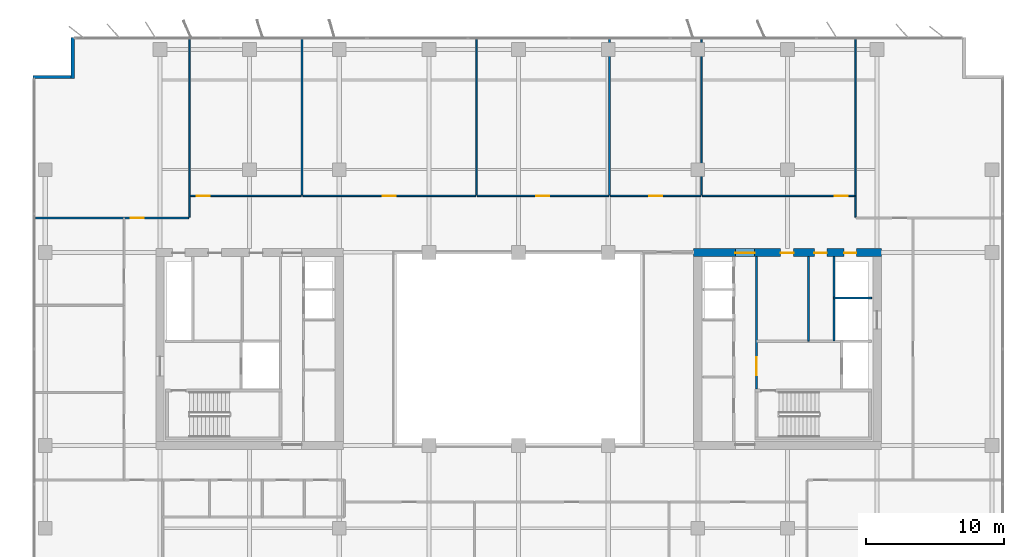
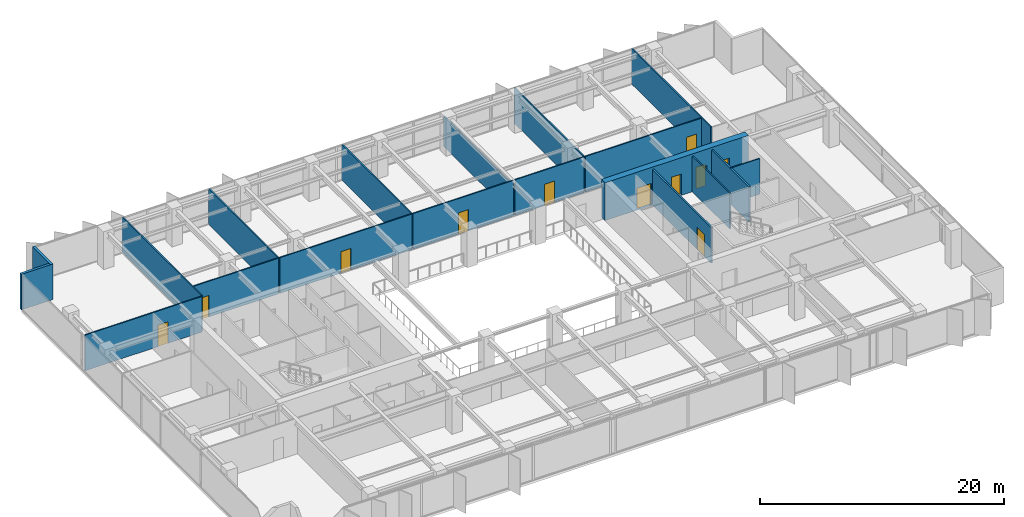
# One storey, part 17 of 22: 19 walls, 11 doors, 11 openings.
"""IFC4 building model written with IfcOpenShell, lengths in metres."""

from ifc_helpers import new_model, si_unit, direction, frame, frame_2d, origin, place, context, subcontext, project, spatial, rectangle, extrude, material, layer, layer_set, type_object, element, fill, save


model = new_model("IFC4")

# Units and contexts
model_context = context("Model", 3, precision=1e-05, world=origin(), true_north=direction((0.0, 1.0)))
body_context = subcontext(model_context, "Body", "Model", "MODEL_VIEW")
ifc_project = project(units=[si_unit("LENGTHUNIT", "METRE"), si_unit("AREAUNIT", "SQUARE_METRE"), si_unit("VOLUMEUNIT", "CUBIC_METRE"), si_unit("PLANEANGLEUNIT", "RADIAN"), si_unit("MASSUNIT", "GRAM", prefix="KILO")], contexts=[model_context])

# Site, building, storey
site_placement = place(None, origin())
site = spatial("IfcSite", under=ifc_project, at=site_placement, CompositionType="ELEMENT")
building_placement = place(site_placement, origin())
building = spatial("IfcBuilding", under=site, at=building_placement, Name="Putna Gate Headquarters", CompositionType="ELEMENT")
storey_placement = place(building_placement, frame((0.0, 0.0, 159.39990234375)))
storey = spatial("IfcBuildingStorey", under=building, at=storey_placement, Name="L39", CompositionType="ELEMENT", Elevation=159.39990234375)

# Wall, openings, doors
ifc_material_1 = material(Name="Concrete C50/60", Category="concrete")
ifc_layer_1 = layer(ifc_material_1, 0.60009765625)
ifc_layer_set_1 = layer_set([ifc_layer_1], Name="Concrete C50/60")
wall_type_1 = type_object("IfcWallType", Name="WALL-CORE-600", PredefinedType="SHEAR", material=ifc_layer_set_1)
wall_1_placement = place(storey_placement, frame((51.699951171875, 33.0, 0.0), z_axis=(0.0, 0.0, 1.0), x_axis=(1.0, 0.0, 0.0)))
wall_1 = element("IfcWall", 1, at=wall_1_placement, inside=storey, type_object=wall_type_1, Name="L39 EC Split Core Shear Wall N", PredefinedType="SHEAR", context=body_context, shape_type="SweptSolid", body=[
    extrude(rectangle(XDim=13.60009765625, YDim=0.60009765625, at=frame_2d((6.800048828125, 0.0))), origin(), (0.0, 0.0, 1.0), 3.800048828125),
])
opening_1_placement = place(wall_1_placement, frame((3.02001953125, 0.0, 0.0)))
opening_1 = element("IfcOpeningElement", 2, at=opening_1_placement, cuts=wall_1, Name="Opening FDD-140", PredefinedType="OPENING", context=body_context, shape_type="SweptSolid", body=[
    extrude(rectangle(XDim=1.39990234375, YDim=2.199951171875, at=frame_2d((0.699951171875, 1.10009765625))), frame((0.0, 0.31005859375, 0.0), z_axis=(0.0, -1.0, 0.0), x_axis=(1.0, 0.0, 0.0)), (0.0, 0.0, 1.0), 0.6201171875),
])
opening_2_placement = place(wall_1_placement, frame((10.89990234375, 0.0, 0.0)))
opening_2 = element("IfcOpeningElement", 3, at=opening_2_placement, cuts=wall_1, Name="Opening RD-90", PredefinedType="OPENING", context=body_context, shape_type="SweptSolid", body=[
    extrude(rectangle(XDim=0.89990234375, YDim=2.14990234375, at=frame_2d((0.449951171875, 1.074951171875))), frame((0.0, 0.31005859375, 0.0), z_axis=(0.0, -1.0, 0.0), x_axis=(1.0, 0.0, 0.0)), (0.0, 0.0, 1.0), 0.6201171875),
])
opening_3_placement = place(wall_1_placement, frame((6.300048828125, 0.0, 0.0)))
opening_3 = element("IfcOpeningElement", 4, at=opening_3_placement, cuts=wall_1, Name="Opening IDS-95", PredefinedType="OPENING", context=body_context, shape_type="SweptSolid", body=[
    extrude(rectangle(XDim=0.949951171875, YDim=2.14990234375, at=frame_2d((0.47509765625, 1.074951171875))), frame((0.0, 0.31005859375, 0.0), z_axis=(0.0, -1.0, 0.0), x_axis=(1.0, 0.0, 0.0)), (0.0, 0.0, 1.0), 0.6201171875),
])
opening_4_placement = place(wall_1_placement, frame((8.75, 0.0, 0.0)))
opening_4 = element("IfcOpeningElement", 5, at=opening_4_placement, cuts=wall_1, Name="Opening IDS-90", PredefinedType="OPENING", context=body_context, shape_type="SweptSolid", body=[
    extrude(rectangle(XDim=0.89990234375, YDim=2.14990234375, at=frame_2d((0.449951171875, 1.074951171875))), frame((0.0, 0.31005859375, 0.0), z_axis=(0.0, -1.0, 0.0), x_axis=(1.0, 0.0, 0.0)), (0.0, 0.0, 1.0), 0.6201171875),
])
ifc_material_2 = material(Name="Double steel fire door", Category="steel")
door_type_1 = type_object("IfcDoorType", Name="DOOR-FIRE-DBL-1400", OperationType="DOUBLE_DOOR_SINGLE_SWING", PredefinedType="DOOR", material=ifc_material_2)
door_1_placement = place(opening_1_placement, origin())
door_1 = element("IfcDoor", 6, at=door_1_placement, inside=storey, type_object=door_type_1, Name="L39 East Lift Lobby North Door", OperationType="DOUBLE_DOOR_SINGLE_SWING", OverallHeight=2.199951171875, OverallWidth=1.39990234375, PredefinedType="DOOR", context=body_context, shape_type="SweptSolid", body=[
    extrude(rectangle(XDim=1.39990234375, YDim=2.199951171875, at=frame_2d((0.699951171875, 1.10009765625))), frame((0.0, -0.02490234375, 0.0), z_axis=(0.0, -1.0, 0.0), x_axis=(1.0, 0.0, 0.0)), (0.0, 0.0, 1.0), 0.050048828125),
])
fill(opening_1, door_1)
ifc_material_3 = material(Name="Fire-rated utility door")
door_type_2 = type_object("IfcDoorType", Name="DOOR-INT-900", OperationType="NOTDEFINED", PredefinedType="DOOR", material=ifc_material_3)
door_2_placement = place(opening_4_placement, origin())
door_2 = element("IfcDoor", 7, at=door_2_placement, inside=storey, type_object=door_type_2, Name="L39 Electrical Plant Door", OperationType="SINGLE_SWING_LEFT", OverallHeight=2.14990234375, OverallWidth=0.89990234375, PredefinedType="DOOR", context=body_context, shape_type="SweptSolid", body=[
    extrude(rectangle(XDim=0.89990234375, YDim=2.14990234375, at=frame_2d((0.449951171875, 1.074951171875))), frame((0.0, -0.02490234375, 0.0), z_axis=(0.0, -1.0, 0.0), x_axis=(1.0, 0.0, 0.0)), (0.0, 0.0, 1.0), 0.050048828125),
])
fill(opening_4, door_2)
ifc_material_4 = material(Name="Fire-rated service timber door", Category="wood")
door_type_3 = type_object("IfcDoorType", Name="DOOR-INT-950", OperationType="NOTDEFINED", PredefinedType="DOOR", material=ifc_material_4)
door_3_placement = place(opening_3_placement, origin())
door_3 = element("IfcDoor", 8, at=door_3_placement, inside=storey, type_object=door_type_3, Name="L39 East Store Door", OperationType="SINGLE_SWING_RIGHT", OverallHeight=2.14990234375, OverallWidth=0.949951171875, PredefinedType="DOOR", context=body_context, shape_type="SweptSolid", body=[
    extrude(rectangle(XDim=0.949951171875, YDim=2.14990234375, at=frame_2d((0.47509765625, 1.074951171875))), frame((0.0, -0.02490234375, 0.0), z_axis=(0.0, -1.0, 0.0), x_axis=(1.0, 0.0, 0.0)), (0.0, 0.0, 1.0), 0.050048828125),
])
fill(opening_3, door_3)
ifc_material_5 = material(Name="Steel riser access fire door", Category="steel")
door_type_4 = type_object("IfcDoorType", Name="DOOR-RISER-900", OperationType="NOTDEFINED", PredefinedType="DOOR", material=ifc_material_5)
door_4_placement = place(opening_2_placement, origin())
door_4 = element("IfcDoor", 9, at=door_4_placement, inside=storey, type_object=door_type_4, Name="L39 East Riser Access Door", OperationType="SINGLE_SWING_LEFT", OverallHeight=2.14990234375, OverallWidth=0.89990234375, PredefinedType="DOOR", context=body_context, shape_type="SweptSolid", body=[
    extrude(rectangle(XDim=0.89990234375, YDim=2.14990234375, at=frame_2d((0.449951171875, 1.074951171875))), frame((0.0, -0.02490234375, 0.0), z_axis=(0.0, -1.0, 0.0), x_axis=(1.0, 0.0, 0.0)), (0.0, 0.0, 1.0), 0.050048828125),
])
fill(opening_2, door_4)

# Walls
ifc_material_6 = material(Name="Precast concrete C40/50", Category="concrete")
ifc_layer_2 = layer(ifc_material_6, 0.239990234375)
ifc_layer_set_2 = layer_set([ifc_layer_2], Name="Precast concrete C40/50")
wall_type_2 = type_object("IfcWallType", Name="WALL-EXT-TERR-240", PredefinedType="STANDARD", material=ifc_layer_set_2)
for number, where, z_axis, x_axis, name in (
    (10, (6.679931640625, 45.60009765625, 0.0), (0.0, 0.0, 1.0), (0.0, 1.0, 0.0), "L39 Corner Notch Return Wall NW-V"),
    (11, (3.800048828125, 45.719970703125, 0.0), (0.0, 0.0, 1.0), (1.0, 0.0, 0.0), "L39 Corner Notch Return Wall NW-H"),
):
    element("IfcWall", number, at=place(storey_placement, frame(where, z_axis=z_axis, x_axis=x_axis)), inside=storey, type_object=wall_type_2, Name=name, PredefinedType="STANDARD", context=body_context, shape_type="SweptSolid", body=[
        extrude(rectangle(XDim=3.0, YDim=0.239990234375, at=frame_2d((1.5, 0.0))), origin(), (0.0, 0.0, 1.0), 3.572021484375),
    ])
ifc_material_7 = material(Name="Acoustic gypsum board on metal stud")
ifc_layer_3 = layer(ifc_material_7, 0.1201171875)
ifc_layer_set_3 = layer_set([ifc_layer_3], Name="Acoustic gypsum board on metal stud")
wall_type_3 = type_object("IfcWallType", Name="WALL-PART-120", PredefinedType="PARTITIONING", material=ifc_layer_set_3)
wall_2_placement = place(storey_placement, frame((15.13037109375, 35.56005859375, 0.0), z_axis=(0.0, 0.0, 1.0), x_axis=(0.0, 1.0, 0.0)))
element("IfcWall", 12, at=wall_2_placement, inside=storey, type_object=wall_type_3, Name="L39 Interior Wall PART-L39-NB-DIV-01", PredefinedType="PARTITIONING", context=body_context, shape_type="SweptSolid", body=[
    extrude(rectangle(XDim=13.02001953125, YDim=0.1201171875, at=frame_2d((6.510009765625, 0.0))), origin(), (0.0, 0.0, 1.0), 3.572021484375),
])
for number, where, z_axis, x_axis, name in (
    (13, (23.297119140625, 37.159912109375, 0.0), (0.0, 0.0, 1.0), (0.0, 1.0, 0.0), "L39 Interior Wall PART-L39-NB-DIV-02"),
    (14, (35.939208984375, 37.159912109375, 0.0), (0.0, 0.0, 1.0), (0.0, 1.0, 0.0), "L39 Interior Wall PART-L39-NB-DIV-03"),
):
    element("IfcWall", number, at=place(storey_placement, frame(where, z_axis=z_axis, x_axis=x_axis)), inside=storey, type_object=wall_type_3, Name=name, PredefinedType="PARTITIONING", context=body_context, shape_type="SweptSolid", body=[
        extrude(rectangle(XDim=11.420166015625, YDim=0.1201171875, at=frame_2d((5.7099609375, 0.0))), origin(), (0.0, 0.0, 1.0), 3.572021484375),
    ])
wall_3_placement = place(storey_placement, frame((45.597900390625, 37.159912109375, 0.0), z_axis=(0.0, 0.0, 1.0), x_axis=(0.0, 1.0, 0.0)))
element("IfcWall", 15, at=wall_3_placement, inside=storey, type_object=wall_type_3, Name="L39 Interior Wall PART-L39-NB-DIV-04", PredefinedType="PARTITIONING", context=body_context, shape_type="SweptSolid", body=[
    extrude(rectangle(XDim=11.420166015625, YDim=0.1201171875, at=frame_2d((5.7099609375, 0.0))), origin(), (0.0, 0.0, 1.0), 3.022216796875),
])
wall_4_placement = place(storey_placement, frame((52.272705078125, 37.159912109375, 0.0), z_axis=(0.0, 0.0, 1.0), x_axis=(0.0, 1.0, 0.0)))
element("IfcWall", 16, at=wall_4_placement, inside=storey, type_object=wall_type_3, Name="L39 Interior Wall PART-L39-NB-DIV-05", PredefinedType="PARTITIONING", context=body_context, shape_type="SweptSolid", body=[
    extrude(rectangle(XDim=11.420166015625, YDim=0.1201171875, at=frame_2d((5.7099609375, 0.0))), origin(), (0.0, 0.0, 1.0), 3.572021484375),
])
wall_5_placement = place(storey_placement, frame((63.4228515625, 35.56005859375, 0.0), z_axis=(0.0, 0.0, 1.0), x_axis=(0.0, 1.0, 0.0)))
element("IfcWall", 17, at=wall_5_placement, inside=storey, type_object=wall_type_3, Name="L39 Interior Wall PART-L39-NB-DIV-06", PredefinedType="PARTITIONING", context=body_context, shape_type="SweptSolid", body=[
    extrude(rectangle(XDim=13.02001953125, YDim=0.1201171875, at=frame_2d((6.510009765625, 0.0))), origin(), (0.0, 0.0, 1.0), 3.572021484375),
])
ifc_material_8 = material(Name="Fire-rated shaftwall gypsum board on metal stud")
ifc_layer_4 = layer(ifc_material_8, 0.1201171875)
ifc_layer_set_4 = layer_set([ifc_layer_4], Name="Fire-rated shaftwall gypsum board on metal stud")
wall_type_4 = type_object("IfcWallType", Name="WALL-PART-120-EI120", PredefinedType="PARTITIONING", material=ifc_layer_set_4)
wall_6_placement = place(storey_placement, frame((61.8701171875, 29.699951171875, 0.0), z_axis=(0.0, 0.0, 1.0), x_axis=(1.0, 0.0, 0.0)))
element("IfcWall", 18, at=wall_6_placement, inside=storey, type_object=wall_type_4, Name="L39 Interior Wall CWINT-L39-EC-LF15-N", PredefinedType="PARTITIONING", context=body_context, shape_type="SweptSolid", body=[
    extrude(rectangle(XDim=2.72998046875, YDim=0.1201171875, at=frame_2d((1.364990234375, 0.0))), origin(), (0.0, 0.0, 1.0), 3.572021484375),
])
ifc_material_9 = material(Name="Fire-rated gypsum board on metal stud")
ifc_layer_5 = layer(ifc_material_9, 0.1201171875)
ifc_layer_set_5 = layer_set([ifc_layer_5], Name="Fire-rated gypsum board on metal stud")
wall_type_5 = type_object("IfcWallType", Name="WALL-PART-120-RATED", PredefinedType="PARTITIONING", material=ifc_layer_set_5)
wall_7_placement = place(storey_placement, frame((60.02001953125, 26.56005859375, 0.0), z_axis=(0.0, 0.0, 1.0), x_axis=(0.0, 1.0, 0.0)))
element("IfcWall", 19, at=wall_7_placement, inside=storey, type_object=wall_type_5, Name="L39 Interior Wall CWINT-L39-EC-K0-DIV", PredefinedType="PARTITIONING", context=body_context, shape_type="SweptSolid", body=[
    extrude(rectangle(XDim=6.139892578125, YDim=0.1201171875, at=frame_2d((3.06982421875, 0.0))), origin(), (0.0, 0.0, 1.0), 3.572021484375),
])

# Wall, opening, door
wall_8_placement = place(storey_placement, frame((3.97998046875, 35.5, 0.0), z_axis=(0.0, 0.0, 1.0), x_axis=(1.0, 0.0, 0.0)))
wall_8 = element("IfcWall", 20, at=wall_8_placement, inside=storey, type_object=wall_type_5, Name="L39 Interior Wall PART-L39-NB-CW-01", PredefinedType="PARTITIONING", context=body_context, shape_type="SweptSolid", body=[
    extrude(rectangle(XDim=11.09033203125, YDim=0.1201171875, at=frame_2d((5.545166015625, 0.0))), origin(), (0.0, 0.0, 1.0), 3.572021484375),
])
opening_5_placement = place(wall_8_placement, frame((6.89990234375, 0.0, 0.0)))
opening_5 = element("IfcOpeningElement", 21, at=opening_5_placement, cuts=wall_8, Name="Opening FD-95", PredefinedType="OPENING", context=body_context, shape_type="SweptSolid", body=[
    extrude(rectangle(XDim=0.949951171875, YDim=2.14990234375, at=frame_2d((0.47509765625, 1.074951171875))), frame((0.0, 0.070068359375, 0.0), z_axis=(0.0, -1.0, 0.0), x_axis=(1.0, 0.0, 0.0)), (0.0, 0.0, 1.0), 0.14013671875),
])
ifc_material_10 = material(Name="Acoustic timber fire door", Category="wood")
door_type_5 = type_object("IfcDoorType", Name="DOOR-FIRE-950", OperationType="NOTDEFINED", PredefinedType="DOOR", material=ifc_material_10)
door_5_placement = place(opening_5_placement, origin())
door_5 = element("IfcDoor", 22, at=door_5_placement, inside=storey, type_object=door_type_5, Name="L39 Cellular Office 1 Door", OperationType="SINGLE_SWING_RIGHT", OverallHeight=2.14990234375, OverallWidth=0.949951171875, PredefinedType="DOOR", context=body_context, shape_type="SweptSolid", body=[
    extrude(rectangle(XDim=0.949951171875, YDim=2.14990234375, at=frame_2d((0.47509765625, 1.074951171875))), frame((0.0, 0.02490234375, 0.0), z_axis=(0.0, -1.0, 0.0), x_axis=(1.0, 0.0, 0.0)), (0.0, 0.0, 1.0), 0.050048828125),
])
fill(opening_5, door_5)

wall_9_placement = place(storey_placement, frame((15.1904296875, 37.10009765625, 0.0), z_axis=(0.0, 0.0, 1.0), x_axis=(1.0, 0.0, 0.0)))
wall_9 = element("IfcWall", 23, at=wall_9_placement, inside=storey, type_object=wall_type_5, Name="L39 Interior Wall PART-L39-NB-CW-02", PredefinedType="PARTITIONING", context=body_context, shape_type="SweptSolid", body=[
    extrude(rectangle(XDim=8.046630859375, YDim=0.1201171875, at=frame_2d((4.0234375, 0.0))), origin(), (0.0, 0.0, 1.0), 3.572021484375),
])
opening_6_placement = place(wall_9_placement, frame((0.47998046875, 0.0, 0.0)))
opening_6 = element("IfcOpeningElement", 24, at=opening_6_placement, cuts=wall_9, Name="Opening FD-95", PredefinedType="OPENING", context=body_context, shape_type="SweptSolid", body=[
    extrude(rectangle(XDim=0.949951171875, YDim=2.14990234375, at=frame_2d((0.47509765625, 1.074951171875))), frame((0.0, 0.070068359375, 0.0), z_axis=(0.0, -1.0, 0.0), x_axis=(1.0, 0.0, 0.0)), (0.0, 0.0, 1.0), 0.14013671875),
])
door_6_placement = place(opening_6_placement, origin())
door_6 = element("IfcDoor", 25, at=door_6_placement, inside=storey, type_object=door_type_5, Name="L39 Conference Meeting Room 2 Door", OperationType="SINGLE_SWING_LEFT", OverallHeight=2.14990234375, OverallWidth=0.949951171875, PredefinedType="DOOR", context=body_context, shape_type="SweptSolid", body=[
    extrude(rectangle(XDim=0.949951171875, YDim=2.14990234375, at=frame_2d((0.47509765625, 1.074951171875))), frame((0.0, 0.02490234375, 0.0), z_axis=(0.0, -1.0, 0.0), x_axis=(1.0, 0.0, 0.0)), (0.0, 0.0, 1.0), 0.050048828125),
])
fill(opening_6, door_6)

wall_10_placement = place(storey_placement, frame((23.35693359375, 37.10009765625, 0.0), z_axis=(0.0, 0.0, 1.0), x_axis=(1.0, 0.0, 0.0)))
wall_10 = element("IfcWall", 26, at=wall_10_placement, inside=storey, type_object=wall_type_5, Name="L39 Interior Wall PART-L39-NB-CW-03", PredefinedType="PARTITIONING", context=body_context, shape_type="SweptSolid", body=[
    extrude(rectangle(XDim=12.5224609375, YDim=0.1201171875, at=frame_2d((6.26123046875, 0.0))), origin(), (0.0, 0.0, 1.0), 3.572021484375),
])
opening_7_placement = place(wall_10_placement, frame((5.7861328125, 0.0, 0.0)))
opening_7 = element("IfcOpeningElement", 27, at=opening_7_placement, cuts=wall_10, Name="Opening FD-95", PredefinedType="OPENING", context=body_context, shape_type="SweptSolid", body=[
    extrude(rectangle(XDim=0.949951171875, YDim=2.14990234375, at=frame_2d((0.47509765625, 1.074951171875))), frame((0.0, 0.070068359375, 0.0), z_axis=(0.0, -1.0, 0.0), x_axis=(1.0, 0.0, 0.0)), (0.0, 0.0, 1.0), 0.14013671875),
])
door_7_placement = place(opening_7_placement, origin())
door_7 = element("IfcDoor", 28, at=door_7_placement, inside=storey, type_object=door_type_5, Name="L39 Conference Meeting Room 3 Door", OperationType="SINGLE_SWING_RIGHT", OverallHeight=2.14990234375, OverallWidth=0.949951171875, PredefinedType="DOOR", context=body_context, shape_type="SweptSolid", body=[
    extrude(rectangle(XDim=0.949951171875, YDim=2.14990234375, at=frame_2d((0.47509765625, 1.074951171875))), frame((0.0, 0.02490234375, 0.0), z_axis=(0.0, -1.0, 0.0), x_axis=(1.0, 0.0, 0.0)), (0.0, 0.0, 1.0), 0.050048828125),
])
fill(opening_7, door_7)

wall_11_placement = place(storey_placement, frame((35.999267578125, 37.10009765625, 0.0), z_axis=(0.0, 0.0, 1.0), x_axis=(1.0, 0.0, 0.0)))
wall_11 = element("IfcWall", 29, at=wall_11_placement, inside=storey, type_object=wall_type_5, Name="L39 Interior Wall PART-L39-NB-CW-04", PredefinedType="PARTITIONING", context=body_context, shape_type="SweptSolid", body=[
    extrude(rectangle(XDim=9.53857421875, YDim=0.1201171875, at=frame_2d((4.769287109375, 0.0))), origin(), (0.0, 0.0, 1.0), 3.572021484375),
])
opening_8_placement = place(wall_11_placement, frame((4.294189453125, 0.0, 0.0)))
opening_8 = element("IfcOpeningElement", 30, at=opening_8_placement, cuts=wall_11, Name="Opening FD-95", PredefinedType="OPENING", context=body_context, shape_type="SweptSolid", body=[
    extrude(rectangle(XDim=0.949951171875, YDim=2.14990234375, at=frame_2d((0.47509765625, 1.074951171875))), frame((0.0, 0.070068359375, 0.0), z_axis=(0.0, -1.0, 0.0), x_axis=(1.0, 0.0, 0.0)), (0.0, 0.0, 1.0), 0.14013671875),
])
door_8_placement = place(opening_8_placement, origin())
door_8 = element("IfcDoor", 31, at=door_8_placement, inside=storey, type_object=door_type_5, Name="L39 Collaborative Breakout Lounge 1 Door", OperationType="SINGLE_SWING_LEFT", OverallHeight=2.14990234375, OverallWidth=0.949951171875, PredefinedType="DOOR", context=body_context, shape_type="SweptSolid", body=[
    extrude(rectangle(XDim=0.949951171875, YDim=2.14990234375, at=frame_2d((0.47509765625, 1.074951171875))), frame((0.0, 0.02490234375, 0.0), z_axis=(0.0, -1.0, 0.0), x_axis=(1.0, 0.0, 0.0)), (0.0, 0.0, 1.0), 0.050048828125),
])
fill(opening_8, door_8)

wall_12_placement = place(storey_placement, frame((45.65771484375, 37.10009765625, 0.0), z_axis=(0.0, 0.0, 1.0), x_axis=(1.0, 0.0, 0.0)))
wall_12 = element("IfcWall", 32, at=wall_12_placement, inside=storey, type_object=wall_type_5, Name="L39 Interior Wall PART-L39-NB-CW-05", PredefinedType="PARTITIONING", context=body_context, shape_type="SweptSolid", body=[
    extrude(rectangle(XDim=6.554931640625, YDim=0.1201171875, at=frame_2d((3.27734375, 0.0))), origin(), (0.0, 0.0, 1.0), 3.572021484375),
])
opening_9_placement = place(wall_12_placement, frame((2.802490234375, 0.0, 0.0)))
opening_9 = element("IfcOpeningElement", 33, at=opening_9_placement, cuts=wall_12, Name="Opening FD-95", PredefinedType="OPENING", context=body_context, shape_type="SweptSolid", body=[
    extrude(rectangle(XDim=0.949951171875, YDim=2.14990234375, at=frame_2d((0.47509765625, 1.074951171875))), frame((0.0, 0.070068359375, 0.0), z_axis=(0.0, -1.0, 0.0), x_axis=(1.0, 0.0, 0.0)), (0.0, 0.0, 1.0), 0.14013671875),
])
door_9_placement = place(opening_9_placement, origin())
door_9 = element("IfcDoor", 34, at=door_9_placement, inside=storey, type_object=door_type_5, Name="L39 Collaborative Breakout Lounge 2 Door", OperationType="SINGLE_SWING_RIGHT", OverallHeight=2.14990234375, OverallWidth=0.949951171875, PredefinedType="DOOR", context=body_context, shape_type="SweptSolid", body=[
    extrude(rectangle(XDim=0.949951171875, YDim=2.14990234375, at=frame_2d((0.47509765625, 1.074951171875))), frame((0.0, 0.02490234375, 0.0), z_axis=(0.0, -1.0, 0.0), x_axis=(1.0, 0.0, 0.0)), (0.0, 0.0, 1.0), 0.050048828125),
])
fill(opening_9, door_9)

wall_13_placement = place(storey_placement, frame((52.33251953125, 37.10009765625, 0.0), z_axis=(0.0, 0.0, 1.0), x_axis=(1.0, 0.0, 0.0)))
wall_13 = element("IfcWall", 35, at=wall_13_placement, inside=storey, type_object=wall_type_5, Name="L39 Interior Wall PART-L39-NB-CW-06", PredefinedType="PARTITIONING", context=body_context, shape_type="SweptSolid", body=[
    extrude(rectangle(XDim=11.0302734375, YDim=0.1201171875, at=frame_2d((5.51513671875, 0.0))), origin(), (0.0, 0.0, 1.0), 3.572021484375),
])
opening_10_placement = place(wall_13_placement, frame((9.600341796875, 0.0, 0.0)))
opening_10 = element("IfcOpeningElement", 36, at=opening_10_placement, cuts=wall_13, Name="Opening FD-95", PredefinedType="OPENING", context=body_context, shape_type="SweptSolid", body=[
    extrude(rectangle(XDim=0.949951171875, YDim=2.14990234375, at=frame_2d((0.47509765625, 1.074951171875))), frame((0.0, 0.070068359375, 0.0), z_axis=(0.0, -1.0, 0.0), x_axis=(1.0, 0.0, 0.0)), (0.0, 0.0, 1.0), 0.14013671875),
])
door_10_placement = place(opening_10_placement, origin())
door_10 = element("IfcDoor", 37, at=door_10_placement, inside=storey, type_object=door_type_5, Name="L39 Quiet Wellness Focus Studio 1 Door", OperationType="SINGLE_SWING_LEFT", OverallHeight=2.14990234375, OverallWidth=0.949951171875, PredefinedType="DOOR", context=body_context, shape_type="SweptSolid", body=[
    extrude(rectangle(XDim=0.949951171875, YDim=2.14990234375, at=frame_2d((0.47509765625, 1.074951171875))), frame((0.0, 0.02490234375, 0.0), z_axis=(0.0, -1.0, 0.0), x_axis=(1.0, 0.0, 0.0)), (0.0, 0.0, 1.0), 0.050048828125),
])
fill(opening_10, door_10)

ifc_material_11 = material(Name="Concrete C40/50", Category="concrete")
ifc_layer_6 = layer(ifc_material_11, 0.159912109375)
ifc_layer_set_6 = layer_set([ifc_layer_6], Name="Concrete C40/50")
wall_type_6 = type_object("IfcWallType", Name="WALL-SHAFT-160", PredefinedType="STANDARD", material=ifc_layer_set_6)
wall_14_placement = place(storey_placement, frame((56.260009765625, 23.090087890625, 0.0), z_axis=(0.0, 0.0, 1.0), x_axis=(0.0, 1.0, 0.0)))
wall_14 = element("IfcWall", 38, at=wall_14_placement, inside=storey, type_object=wall_type_6, Name="L39 Interior Wall CWINT-L39-EC-LOB-E", PredefinedType="STANDARD", context=body_context, shape_type="SweptSolid", body=[
    extrude(rectangle(XDim=9.60986328125, YDim=0.159912109375, at=frame_2d((4.804931640625, 0.0))), origin(), (0.0, 0.0, 1.0), 3.572021484375),
])
opening_11_placement = place(wall_14_placement, frame((1.010009765625, 0.0, 0.0)))
opening_11 = element("IfcOpeningElement", 39, at=opening_11_placement, cuts=wall_14, Name="Opening FDD-130", PredefinedType="OPENING", context=body_context, shape_type="SweptSolid", body=[
    extrude(rectangle(XDim=1.300048828125, YDim=2.199951171875, at=frame_2d((0.64990234375, 1.10009765625))), frame((0.0, 0.08984375, 0.0), z_axis=(0.0, -1.0, 0.0), x_axis=(1.0, 0.0, 0.0)), (0.0, 0.0, 1.0), 0.179931640625),
])
ifc_material_12 = material(Name="Double steel lobby fire door", Category="steel")
door_type_6 = type_object("IfcDoorType", Name="DOOR-FIRE-DBL-1300", OperationType="DOUBLE_DOOR_SINGLE_SWING", PredefinedType="DOOR", material=ifc_material_12)
door_11_placement = place(opening_11_placement, origin())
door_11 = element("IfcDoor", 40, at=door_11_placement, inside=storey, type_object=door_type_6, Name="L39 East Firefighting Lobby Door", OperationType="DOUBLE_DOOR_SINGLE_SWING", OverallHeight=2.199951171875, OverallWidth=1.300048828125, PredefinedType="DOOR", context=body_context, shape_type="SweptSolid", body=[
    extrude(rectangle(XDim=1.300048828125, YDim=2.199951171875, at=frame_2d((0.64990234375, 1.10009765625))), frame((0.0, 0.02490234375, 0.0), z_axis=(0.0, -1.0, 0.0), x_axis=(1.0, 0.0, 0.0)), (0.0, 0.0, 1.0), 0.050048828125),
])
fill(opening_11, door_11)

# Wall
wall_15_placement = place(storey_placement, frame((61.8701171875, 26.56005859375, 0.0), z_axis=(0.0, 0.0, 1.0), x_axis=(0.0, 1.0, 0.0)))
element("IfcWall", 41, at=wall_15_placement, inside=storey, type_object=wall_type_6, Name="L39 Interior Wall CWINT-L39-EC-LF15-W", PredefinedType="STANDARD", context=body_context, shape_type="SweptSolid", body=[
    extrude(rectangle(XDim=6.139892578125, YDim=0.159912109375, at=frame_2d((3.06982421875, 0.0))), origin(), (0.0, 0.0, 1.0), 3.572021484375),
])

save(model, "model.ifc")
